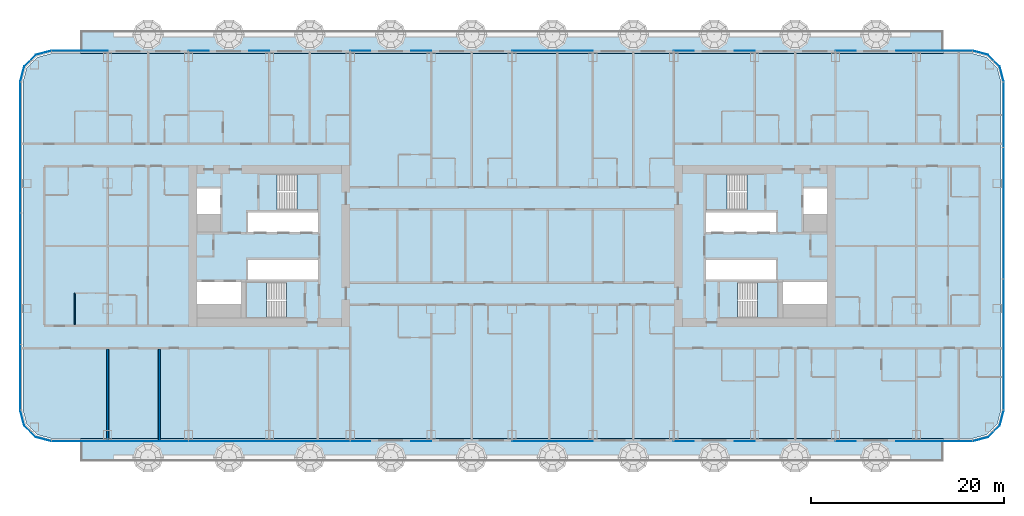
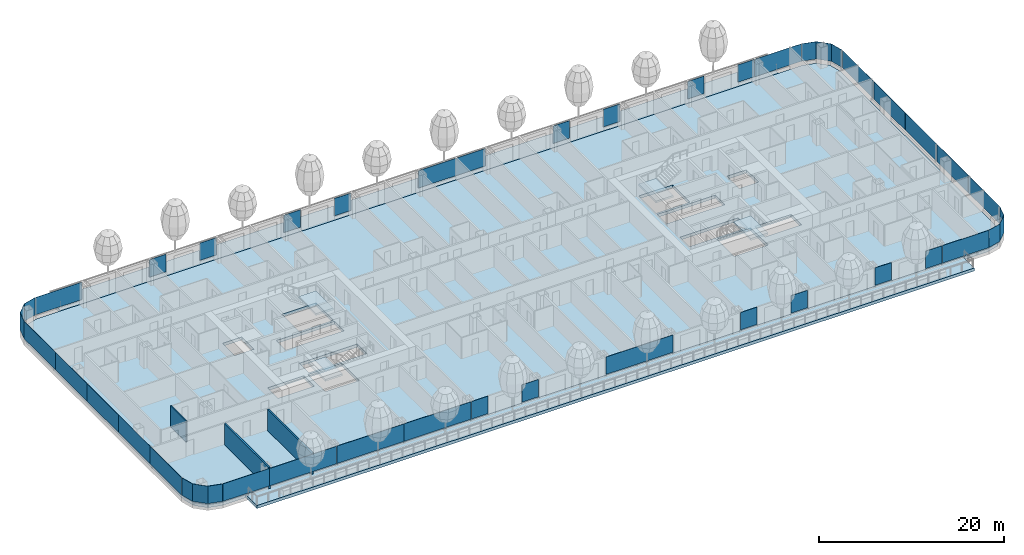
# One storey, part 11 of 36: 37 plates, 7 slabs, 3 walls, 12 elements without a shape of their own.
"""IFC4 building model written with IfcOpenShell, lengths in metres."""

import ifcopenshell
import ifcopenshell.guid

model = None  # the IFC model being written
_history = None  # IfcOwnerHistory: only IFC2X3 demands one
_inside = {}  # id of a spatial element -> (the spatial element, [elements in it])
_under = {}  # id of a project, library or spatial element -> (it, [spatial elements below it])
_declared = {}  # id of a project -> (the project, [libraries it declares])
_typed = {}  # id of a type object -> (the type object, [elements of that type])
_made_of = {}  # id of a material, layer set ... -> (it, [elements and type objects made of it])


def new_model(schema):
    """Start an empty IFC model of exactly this schema.

    Asked for "IFC4X3", IfcOpenShell would pick the latest addendum, in which some entities
    have other attributes; the version numbers below select the first issue.
    IFC2X3 requires an IfcOwnerHistory on every rooted entity: one is made here for all.
    """
    global model, _history
    if schema == "IFC4X3":
        model = ifcopenshell.file(schema_version=(4, 3, 0, 0))
    else:
        model = ifcopenshell.file(schema=schema)
    _inside.clear()
    _under.clear()
    _declared.clear()
    _typed.clear()
    _made_of.clear()
    _history = None
    if model.schema == "IFC2X3":
        org = make("IfcOrganization", Name="unknown")
        user = make(
            "IfcPersonAndOrganization",
            ThePerson=make("IfcPerson", FamilyName="unknown"),
            TheOrganization=org,
        )
        app = make(
            "IfcApplication",
            ApplicationDeveloper=org,
            Version="unknown",
            ApplicationFullName="unknown",
            ApplicationIdentifier="unknown",
        )
        _history = make(
            "IfcOwnerHistory",
            OwningUser=user,
            OwningApplication=app,
            ChangeAction="ADDED",
            CreationDate=0,
        )
    return model


def make(cls, **values):
    """One entity of the class cls with the attributes given. An attribute that is None is left unset."""
    return model.create_entity(
        cls, **{name: value for name, value in values.items() if value is not None}
    )


def rooted(cls, **values):
    """An entity with a GlobalId (a new one), such as an element, a storey or a relation."""
    return make(cls, GlobalId=ifcopenshell.guid.new(), OwnerHistory=_history, **values)


def si_unit(unit_type, name, prefix=None):
    """IfcSIUnit, for example si_unit("LENGTHUNIT", "METRE", prefix="MILLI")."""
    return make("IfcSIUnit", UnitType=unit_type, Prefix=prefix, Name=name)


def assignment(units):
    """IfcUnitAssignment: the units of a project."""
    return None if units is None else make("IfcUnitAssignment", Units=units)


def point(xyz):
    """IfcCartesianPoint."""
    return None if xyz is None else make("IfcCartesianPoint", Coordinates=xyz)


def direction(xyz):
    """IfcDirection."""
    return None if xyz is None else make("IfcDirection", DirectionRatios=xyz)


def frame(location, z_axis=None, x_axis=None):
    """IfcAxis2Placement3D, a coordinate frame: its origin and axes. An axis left out is left unset."""
    return make(
        "IfcAxis2Placement3D",
        Location=point(location),
        Axis=direction(z_axis),
        RefDirection=direction(x_axis),
    )


def frame_2d(location, x_axis=None):
    """IfcAxis2Placement2D, a coordinate frame in the plane: its origin and x axis."""
    return make(
        "IfcAxis2Placement2D", Location=point(location), RefDirection=direction(x_axis)
    )


def origin():
    """The frame at (0, 0, 0) with its axes left unset."""
    return frame((0.0, 0.0, 0.0))


def origin_2d():
    """The frame at (0, 0) in the plane with its x axis left unset."""
    return frame_2d((0.0, 0.0))


def place(relative_to, where):
    """IfcLocalPlacement: puts the frame where relative to a parent placement (None: the world)."""
    return make(
        "IfcLocalPlacement", PlacementRelTo=relative_to, RelativePlacement=where
    )


def context(
    kind, dimensions, precision=None, world=None, true_north=None, identifier=None
):
    """IfcGeometricRepresentationContext, for example the 3D "Model" context."""
    return make(
        "IfcGeometricRepresentationContext",
        ContextIdentifier=identifier,
        ContextType=kind,
        CoordinateSpaceDimension=dimensions,
        Precision=precision,
        WorldCoordinateSystem=world,
        TrueNorth=true_north,
    )


def subcontext(parent, identifier, kind, view, scale=None):
    """IfcGeometricRepresentationSubContext, for example "Body" below "Model"."""
    return make(
        "IfcGeometricRepresentationSubContext",
        ContextIdentifier=identifier,
        ContextType=kind,
        ParentContext=parent,
        TargetScale=scale,
        TargetView=view,
    )


def project(units=None, contexts=None):
    """IfcProject with its units and contexts."""
    return rooted(
        "IfcProject",
        Name="project",
        RepresentationContexts=contexts,
        UnitsInContext=assignment(units),
    )


def spatial(cls, under=None, at=None, **own):
    """A site, building, storey or space (cls), placed at a placement, below another one or the project."""
    s = rooted(cls, ObjectPlacement=at, **own)
    if under is not None:
        _under.setdefault(under.id(), (under, []))[1].append(s)
    return s


def polyline(points):
    """IfcPolyline through the points."""
    return make("IfcPolyline", Points=[point(p) for p in points])


def profile(cls, at=None, kind="AREA", **sizes):
    """A parametric profile (cls). Its sizes go by their IFC names, for example OverallWidth=200.0."""
    return make(cls, ProfileType=kind, Position=at, **sizes)


def rectangle(**sizes):
    """IfcRectangleProfileDef."""
    return profile("IfcRectangleProfileDef", **sizes)


def outline(outer, holes=None, kind="AREA"):
    """IfcArbitraryClosedProfileDef: a profile drawn as a closed curve; with holes, ...WithVoids."""
    if holes is None:
        return make("IfcArbitraryClosedProfileDef", ProfileType=kind, OuterCurve=outer)
    return make(
        "IfcArbitraryProfileDefWithVoids",
        ProfileType=kind,
        OuterCurve=outer,
        InnerCurves=holes,
    )


def extrude(swept, where, along, depth):
    """IfcExtrudedAreaSolid: the profile swept, set in the frame where, extruded along a direction by depth."""
    return make(
        "IfcExtrudedAreaSolid",
        SweptArea=swept,
        Position=where,
        ExtrudedDirection=direction(along),
        Depth=depth,
    )


def shape(context_of_items, identifier, shape_type, items):
    """IfcShapeRepresentation: the items that make up one representation, for example the "Body"."""
    return make(
        "IfcShapeRepresentation",
        ContextOfItems=context_of_items,
        RepresentationIdentifier=identifier,
        RepresentationType=shape_type,
        Items=items,
    )


def material(Name=None, Category=None):
    """IfcMaterial."""
    return make("IfcMaterial", Name=Name, Category=Category)


def layer(
    of_material, thickness, ventilated=None, Name=None, Category=None, Priority=None
):
    """IfcMaterialLayer: one layer of a wall or slab, of a material (None: an air gap)."""
    return make(
        "IfcMaterialLayer",
        Material=of_material,
        LayerThickness=thickness,
        IsVentilated=ventilated,
        Name=Name,
        Category=Category,
        Priority=Priority,
    )


def layer_set(layers, Name=None):
    """IfcMaterialLayerSet."""
    return make("IfcMaterialLayerSet", MaterialLayers=layers, LayerSetName=Name)


def made_of(thing, what):
    """Note that an element or type object is made of a material, layer set ...; save() writes the relation."""
    if what is not None:
        _made_of.setdefault(what.id(), (what, []))[1].append(thing)
    return thing


def type_object(cls, material=None, **own):
    """A type object (cls), such as IfcWallType, which elements share."""
    return made_of(rooted(cls, **own), material)


def element(
    cls,
    number,
    at=None,
    inside=None,
    cuts=None,
    type_object=None,
    material=None,
    context=None,
    identifier="Body",
    shape_type=None,
    held_by="IfcProductDefinitionShape",
    body=None,
    shapes=None,
    **own,
):
    """One element of the class cls, such as IfcWall. Its Tag is "e" and its number.

    at: its placement. inside: the storey or other place that contains it. cuts: it is an
    opening in that element (IfcRelVoidsElement). A single representation is given by context,
    identifier, shape_type and body (its items); several are given by shapes. held_by: the class
    of the entity that holds the representations. save() writes the other relations.
    """
    e = rooted(cls, Tag="e%d" % number, ObjectPlacement=at, **own)
    if body is not None:
        shapes = [shape(context, identifier, shape_type, body)]
    if shapes is not None:
        e.Representation = make(held_by, Representations=shapes)
    if inside is not None:
        _inside.setdefault(inside.id(), (inside, []))[1].append(e)
    if cuts is not None:
        rooted(
            "IfcRelVoidsElement", RelatingBuildingElement=cuts, RelatedOpeningElement=e
        )
    if type_object is not None:
        _typed.setdefault(type_object.id(), (type_object, []))[1].append(e)
    return made_of(e, material)


def aggregate(whole, parts):
    """IfcRelAggregates: a whole, such as a stair, and the parts it consists of."""
    return rooted("IfcRelAggregates", RelatingObject=whole, RelatedObjects=parts)


def save(model, path):
    """Write the relations noted so far, then the file.

    IfcRelAggregates (storeys below a building ...), IfcRelContainedInSpatialStructure (elements
    in a storey), IfcRelDefinesByType, IfcRelAssociatesMaterial and IfcRelDeclares: one each for
    every whole, place, type object, material and project.
    """
    for whole, parts in _under.values():
        aggregate(whole, parts)
    for where, things in _inside.values():
        rooted(
            "IfcRelContainedInSpatialStructure",
            RelatedElements=things,
            RelatingStructure=where,
        )
    for kind, things in _typed.values():
        rooted("IfcRelDefinesByType", RelatedObjects=things, RelatingType=kind)
    for what, things in _made_of.values():
        rooted("IfcRelAssociatesMaterial", RelatedObjects=things, RelatingMaterial=what)
    for by, libraries in _declared.values():
        rooted("IfcRelDeclares", RelatingContext=by, RelatedDefinitions=libraries)
    model.write(path)


model = new_model("IFC4")

# Units and contexts
model_context = context("Model", 3, precision=1e-05, world=origin(), true_north=direction((0.0, 1.0)))
body_context = subcontext(model_context, "Body", "Model", "MODEL_VIEW")
ifc_project = project(units=[si_unit("LENGTHUNIT", "METRE"), si_unit("AREAUNIT", "SQUARE_METRE"), si_unit("VOLUMEUNIT", "CUBIC_METRE"), si_unit("PLANEANGLEUNIT", "RADIAN"), si_unit("MASSUNIT", "GRAM", prefix="KILO")], contexts=[model_context])

# Site, building, storey
site_placement = place(None, origin())
site = spatial("IfcSite", under=ifc_project, at=site_placement, CompositionType="ELEMENT")
building_placement = place(site_placement, origin())
building = spatial("IfcBuilding", under=site, at=building_placement, Name="Hakoniwa Tower and Hamabe Station Hall", CompositionType="ELEMENT")
storey_placement = place(building_placement, frame((0.0, 0.0, 26.199951171875)))
storey = spatial("IfcBuildingStorey", under=building, at=storey_placement, Name="L06", CompositionType="ELEMENT", Elevation=26.199951171875)

# Slabs
ifc_material_1 = material(Name="Concrete C42", Category="concrete")
ifc_layer_1 = layer(ifc_material_1, 0.25)
ifc_layer_set_1 = layer_set([ifc_layer_1], Name="BALCONY SLAB 250")
slab_type_1 = type_object("IfcSlabType", Name="BALCONY SLAB 250", PredefinedType="FLOOR", material=ifc_layer_set_1)
slab_1_placement = place(storey_placement, frame((0.0, 0.0, -0.39990234375)))
element("IfcSlab", 1, at=slab_1_placement, inside=storey, type_object=slab_type_1, Name="Balcony slab L06 BAL-L06-N", PredefinedType="FLOOR", context=body_context, shape_type="SweptSolid", body=[
    extrude(outline(polyline([(-44.800048828125, 20.0), (44.800048828125, 20.0), (44.800048828125, 22.39990234375), (-44.800048828125, 22.39990234375), (-44.800048828125, 20.0)])), origin(), (0.0, 0.0, 1.0), 0.39990234375),
])
slab_2_placement = place(storey_placement, frame((0.0, 0.0, -0.39990234375)))
element("IfcSlab", 2, at=slab_2_placement, inside=storey, type_object=slab_type_1, Name="Balcony slab L06 BAL-L06-S", PredefinedType="FLOOR", context=body_context, shape_type="SweptSolid", body=[
    extrude(outline(polyline([(-44.800048828125, -22.39990234375), (44.800048828125, -22.39990234375), (44.800048828125, -20.0), (-44.800048828125, -20.0), (-44.800048828125, -22.39990234375)])), origin(), (0.0, 0.0, 1.0), 0.39990234375),
])

# Stair, slab
ifc_material_2 = material(Name="Concrete C40", Category="concrete")
stair_type = type_object("IfcStairType", Name="ESCAPE STAIR 1800", PredefinedType="HALF_TURN_STAIR", material=ifc_material_2)
stair_1_placement = place(storey_placement, origin())
stair_1 = element("IfcStair", 3, at=stair_1_placement, inside=storey, type_object=stair_type, Name="Escape stair ST-1 L06", PredefinedType="HALF_TURN_STAIR")
ifc_material_3 = material(Name="Concrete C40", Category="concrete")
ifc_layer_2 = layer(ifc_material_3, 0.25)
ifc_layer_set_2 = layer_set([ifc_layer_2], Name="CORE STAIR LANDING 250")
slab_type_2 = type_object("IfcSlabType", Name="CORE STAIR LANDING 250", PredefinedType="LANDING", material=ifc_layer_set_2)
slab_3_placement = place(storey_placement, frame((0.0, 0.0, 1.35009765625)))
slab_3 = element("IfcSlab", 4, at=slab_3_placement, type_object=slab_type_2, Name="ST-1 landing 1", PredefinedType="LANDING", context=body_context, shape_type="SweptSolid", body=[
    extrude(outline(polyline([(-22.320068359375, 3.75), (-20.14990234375, 3.75), (-20.14990234375, 7.5), (-22.320068359375, 7.5), (-22.320068359375, 3.75)])), origin(), (0.0, 0.0, 1.0), 0.25),
])
aggregate(stair_1, [slab_3])

stair_2_placement = place(storey_placement, origin())
stair_2 = element("IfcStair", 5, at=stair_2_placement, inside=storey, type_object=stair_type, Name="Escape stair ST-2 L06", PredefinedType="HALF_TURN_STAIR")
slab_4_placement = place(storey_placement, frame((0.0, 0.0, 1.35009765625)))
slab_4 = element("IfcSlab", 6, at=slab_4_placement, type_object=slab_type_2, Name="ST-2 landing 1", PredefinedType="LANDING", context=body_context, shape_type="SweptSolid", body=[
    extrude(outline(polyline([(-25.47998046875, -7.5), (-27.64990234375, -7.5), (-27.64990234375, -3.75), (-25.47998046875, -3.75), (-25.47998046875, -7.5)])), origin(), (0.0, 0.0, 1.0), 0.25),
])
aggregate(stair_2, [slab_4])

stair_3_placement = place(storey_placement, origin())
stair_3 = element("IfcStair", 7, at=stair_3_placement, inside=storey, type_object=stair_type, Name="Escape stair ST-3 L06", PredefinedType="HALF_TURN_STAIR")
slab_5_placement = place(storey_placement, frame((0.0, 0.0, 1.35009765625)))
slab_5 = element("IfcSlab", 8, at=slab_5_placement, type_object=slab_type_2, Name="ST-3 landing 1", PredefinedType="LANDING", context=body_context, shape_type="SweptSolid", body=[
    extrude(outline(polyline([(22.320068359375, 3.75), (20.14990234375, 3.75), (20.14990234375, 7.5), (22.320068359375, 7.5), (22.320068359375, 3.75)])), origin(), (0.0, 0.0, 1.0), 0.25),
])
aggregate(stair_3, [slab_5])

stair_4_placement = place(storey_placement, origin())
stair_4 = element("IfcStair", 9, at=stair_4_placement, inside=storey, type_object=stair_type, Name="Escape stair ST-4 L06", PredefinedType="HALF_TURN_STAIR")
slab_6_placement = place(storey_placement, frame((0.0, 0.0, 1.35009765625)))
slab_6 = element("IfcSlab", 10, at=slab_6_placement, type_object=slab_type_2, Name="ST-4 landing 1", PredefinedType="LANDING", context=body_context, shape_type="SweptSolid", body=[
    extrude(outline(polyline([(25.47998046875, -7.5), (27.64990234375, -7.5), (27.64990234375, -3.75), (25.47998046875, -3.75), (25.47998046875, -7.5)])), origin(), (0.0, 0.0, 1.0), 0.25),
])
aggregate(stair_4, [slab_6])

# Curtain wall, plates
ifc_material_4 = material(Name="Dark low-e laminated glass", Category="glass")
ifc_layer_3 = layer(ifc_material_4, 0.199951171875)
ifc_layer_set_3 = layer_set([ifc_layer_3], Name="CW-1 UNITISED GUEST")
curtain_wall_type = type_object("IfcCurtainWallType", Name="CW-1 UNITISED GUEST", PredefinedType="NOTDEFINED", material=ifc_layer_set_3)
curtain_wall_1_placement = place(storey_placement, origin())
curtain_wall_1 = element("IfcCurtainWall", 11, at=curtain_wall_1_placement, inside=storey, type_object=curtain_wall_type, Name="CW-1 curtain wall", PredefinedType="NOTDEFINED")
ifc_material_5 = material(Name="Dark low-e laminated glass", Category="glass")
ifc_layer_4 = layer(ifc_material_5, 0.028076171875)
ifc_layer_set_4 = layer_set([ifc_layer_4], Name="CW-1 GLASS UNIT")
plate_type = type_object("IfcPlateType", Name="CW-1 GLASS UNIT", PredefinedType="CURTAIN_PANEL", material=ifc_layer_set_4)
plate_1_placement = place(storey_placement, frame((51.0859375, -13.631591796875, 0.35009765625), z_axis=(0.0, 0.0, 1.0), x_axis=(0.0, 1.0, 0.0)))
plate_1 = element("IfcPlate", 12, at=plate_1_placement, type_object=plate_type, Name="CW-1 glass unit", PredefinedType="CURTAIN_PANEL", context=body_context, shape_type="SweptSolid", body=[
    extrude(rectangle(XDim=6.7958984375, YDim=0.028076171875, at=origin_2d()), origin(), (0.0, 0.0, 1.0), 2.300048828125),
])
plate_2_placement = place(storey_placement, frame((51.0859375, -6.81591796875, 0.35009765625), z_axis=(0.0, 0.0, 1.0), x_axis=(0.0, 1.0, 0.0)))
plate_2 = element("IfcPlate", 13, at=plate_2_placement, type_object=plate_type, Name="CW-1 glass unit", PredefinedType="CURTAIN_PANEL", context=body_context, shape_type="SweptSolid", body=[
    extrude(rectangle(XDim=6.7958984375, YDim=0.028076171875, at=origin_2d()), origin(), (0.0, 0.0, 1.0), 2.300048828125),
])
plate_3_placement = place(storey_placement, frame((51.0859375, 0.0, 0.35009765625), z_axis=(0.0, 0.0, 1.0), x_axis=(0.0, 1.0, 0.0)))
plate_3 = element("IfcPlate", 14, at=plate_3_placement, type_object=plate_type, Name="CW-1 glass unit", PredefinedType="CURTAIN_PANEL", context=body_context, shape_type="SweptSolid", body=[
    extrude(rectangle(XDim=6.7958984375, YDim=0.028076171875, at=origin_2d()), origin(), (0.0, 0.0, 1.0), 2.300048828125),
])
plate_4_placement = place(storey_placement, frame((51.0859375, 6.81591796875, 0.35009765625), z_axis=(0.0, 0.0, 1.0), x_axis=(0.0, 1.0, 0.0)))
plate_4 = element("IfcPlate", 15, at=plate_4_placement, type_object=plate_type, Name="CW-1 glass unit", PredefinedType="CURTAIN_PANEL", context=body_context, shape_type="SweptSolid", body=[
    extrude(rectangle(XDim=6.7958984375, YDim=0.028076171875, at=origin_2d()), origin(), (0.0, 0.0, 1.0), 2.300048828125),
])
plate_5_placement = place(storey_placement, frame((51.0859375, 13.631591796875, 0.35009765625), z_axis=(0.0, 0.0, 1.0), x_axis=(0.0, 1.0, 0.0)))
plate_5 = element("IfcPlate", 16, at=plate_5_placement, type_object=plate_type, Name="CW-1 glass unit", PredefinedType="CURTAIN_PANEL", context=body_context, shape_type="SweptSolid", body=[
    extrude(rectangle(XDim=6.7958984375, YDim=0.028076171875, at=origin_2d()), origin(), (0.0, 0.0, 1.0), 2.300048828125),
])
aggregate(curtain_wall_1, [plate_1, plate_2, plate_3, plate_4, plate_5])

# Curtain wall, plate
curtain_wall_2_placement = place(storey_placement, origin())
curtain_wall_2 = element("IfcCurtainWall", 17, at=curtain_wall_2_placement, inside=storey, type_object=curtain_wall_type, Name="CW-1 curtain wall", PredefinedType="NOTDEFINED")
plate_6_placement = place(storey_placement, frame((0.0, 0.0, 0.35009765625)))
plate_6 = element("IfcPlate", 18, at=plate_6_placement, type_object=plate_type, Name="CW-1 curved corner unit", PredefinedType="CURTAIN_PANEL", context=body_context, shape_type="SweptSolid", body=[
    extrude(outline(polyline([(51.089599609375, 17.078125), (50.6669921875, 18.6552734375), (49.455322265625, 19.866943359375), (47.878173828125, 20.28955078125), (47.870849609375, 20.2626953125), (49.44091796875, 19.842041015625), (50.641845703125, 18.640869140625), (51.0625, 17.07080078125), (51.089599609375, 17.078125)])), origin(), (0.0, 0.0, 1.0), 2.300048828125),
])
aggregate(curtain_wall_2, [plate_6])

# Curtain wall, plates
curtain_wall_3_placement = place(storey_placement, origin())
curtain_wall_3 = element("IfcCurtainWall", 19, at=curtain_wall_3_placement, inside=storey, type_object=curtain_wall_type, Name="CW-1 curtain wall", PredefinedType="NOTDEFINED")
plate_7_placement = place(storey_placement, frame((44.919677734375, 20.285888671875, 0.35009765625), z_axis=(0.0, 0.0, 1.0), x_axis=(-1.0, 0.0, 0.0)))
plate_7 = element("IfcPlate", 20, at=plate_7_placement, type_object=plate_type, Name="CW-1 glass unit", PredefinedType="CURTAIN_PANEL", context=body_context, shape_type="SweptSolid", body=[
    extrude(rectangle(XDim=5.819580078125, YDim=0.028076171875, at=origin_2d()), origin(), (0.0, 0.0, 1.0), 2.300048828125),
])
plate_8_placement = place(storey_placement, frame((40.949951171875, 20.285888671875, 0.35009765625), z_axis=(0.0, 0.0, 1.0), x_axis=(-1.0, 0.0, 0.0)))
plate_8 = element("IfcPlate", 21, at=plate_8_placement, type_object=plate_type, Name="CW-1 glass unit", PredefinedType="CURTAIN_PANEL", context=body_context, shape_type="SweptSolid", body=[
    extrude(rectangle(XDim=2.080078125, YDim=0.028076171875, at=origin_2d()), origin(), (0.0, 0.0, 1.0), 2.300048828125),
])
plate_9_placement = place(storey_placement, frame((34.64990234375, 20.285888671875, 0.35009765625), z_axis=(0.0, 0.0, 1.0), x_axis=(-1.0, 0.0, 0.0)))
plate_9 = element("IfcPlate", 22, at=plate_9_placement, type_object=plate_type, Name="CW-1 glass unit", PredefinedType="CURTAIN_PANEL", context=body_context, shape_type="SweptSolid", body=[
    extrude(rectangle(XDim=2.080078125, YDim=0.028076171875, at=origin_2d()), origin(), (0.0, 0.0, 1.0), 2.300048828125),
])
plate_10_placement = place(storey_placement, frame((24.14990234375, 20.285888671875, 0.35009765625), z_axis=(0.0, 0.0, 1.0), x_axis=(-1.0, 0.0, 0.0)))
plate_10 = element("IfcPlate", 23, at=plate_10_placement, type_object=plate_type, Name="CW-1 glass unit", PredefinedType="CURTAIN_PANEL", context=body_context, shape_type="SweptSolid", body=[
    extrude(rectangle(XDim=2.080078125, YDim=0.028076171875, at=origin_2d()), origin(), (0.0, 0.0, 1.0), 2.300048828125),
])
plate_11_placement = place(storey_placement, frame((17.85009765625, 20.285888671875, 0.35009765625), z_axis=(0.0, 0.0, 1.0), x_axis=(-1.0, 0.0, 0.0)))
plate_11 = element("IfcPlate", 24, at=plate_11_placement, type_object=plate_type, Name="CW-1 glass unit", PredefinedType="CURTAIN_PANEL", context=body_context, shape_type="SweptSolid", body=[
    extrude(rectangle(XDim=2.080078125, YDim=0.028076171875, at=origin_2d()), origin(), (0.0, 0.0, 1.0), 2.300048828125),
])
plate_12_placement = place(storey_placement, frame((4.199951171875, 20.285888671875, 0.35009765625), z_axis=(0.0, 0.0, 1.0), x_axis=(-1.0, 0.0, 0.0)))
plate_12 = element("IfcPlate", 25, at=plate_12_placement, type_object=plate_type, Name="CW-1 glass unit", PredefinedType="CURTAIN_PANEL", context=body_context, shape_type="SweptSolid", body=[
    extrude(rectangle(XDim=8.3798828125, YDim=0.028076171875, at=origin_2d()), origin(), (0.0, 0.0, 1.0), 2.300048828125),
])
plate_13_placement = place(storey_placement, frame((-9.449951171875, 20.285888671875, 0.35009765625), z_axis=(0.0, 0.0, 1.0), x_axis=(-1.0, 0.0, 0.0)))
plate_13 = element("IfcPlate", 26, at=plate_13_placement, type_object=plate_type, Name="CW-1 glass unit", PredefinedType="CURTAIN_PANEL", context=body_context, shape_type="SweptSolid", body=[
    extrude(rectangle(XDim=2.080078125, YDim=0.028076171875, at=origin_2d()), origin(), (0.0, 0.0, 1.0), 2.300048828125),
])
plate_14_placement = place(storey_placement, frame((-15.75, 20.285888671875, 0.35009765625), z_axis=(0.0, 0.0, 1.0), x_axis=(-1.0, 0.0, 0.0)))
plate_14 = element("IfcPlate", 27, at=plate_14_placement, type_object=plate_type, Name="CW-1 glass unit", PredefinedType="CURTAIN_PANEL", context=body_context, shape_type="SweptSolid", body=[
    extrude(rectangle(XDim=2.080078125, YDim=0.028076171875, at=origin_2d()), origin(), (0.0, 0.0, 1.0), 2.300048828125),
])
plate_15_placement = place(storey_placement, frame((-26.25, 20.285888671875, 0.35009765625), z_axis=(0.0, 0.0, 1.0), x_axis=(-1.0, 0.0, 0.0)))
plate_15 = element("IfcPlate", 28, at=plate_15_placement, type_object=plate_type, Name="CW-1 glass unit", PredefinedType="CURTAIN_PANEL", context=body_context, shape_type="SweptSolid", body=[
    extrude(rectangle(XDim=2.080078125, YDim=0.028076171875, at=origin_2d()), origin(), (0.0, 0.0, 1.0), 2.300048828125),
])
plate_16_placement = place(storey_placement, frame((-32.550048828125, 20.285888671875, 0.35009765625), z_axis=(0.0, 0.0, 1.0), x_axis=(-1.0, 0.0, 0.0)))
plate_16 = element("IfcPlate", 29, at=plate_16_placement, type_object=plate_type, Name="CW-1 glass unit", PredefinedType="CURTAIN_PANEL", context=body_context, shape_type="SweptSolid", body=[
    extrude(rectangle(XDim=2.080078125, YDim=0.028076171875, at=origin_2d()), origin(), (0.0, 0.0, 1.0), 2.300048828125),
])
plate_17_placement = place(storey_placement, frame((-44.919677734375, 20.285888671875, 0.35009765625), z_axis=(0.0, 0.0, 1.0), x_axis=(-1.0, 0.0, 0.0)))
plate_17 = element("IfcPlate", 30, at=plate_17_placement, type_object=plate_type, Name="CW-1 glass unit", PredefinedType="CURTAIN_PANEL", context=body_context, shape_type="SweptSolid", body=[
    extrude(rectangle(XDim=5.819580078125, YDim=0.028076171875, at=origin_2d()), origin(), (0.0, 0.0, 1.0), 2.300048828125),
])
aggregate(curtain_wall_3, [plate_7, plate_8, plate_9, plate_10, plate_11, plate_12, plate_13, plate_14, plate_15, plate_16, plate_17])

# Curtain wall, plate
curtain_wall_4_placement = place(storey_placement, origin())
curtain_wall_4 = element("IfcCurtainWall", 31, at=curtain_wall_4_placement, inside=storey, type_object=curtain_wall_type, Name="CW-1 curtain wall", PredefinedType="NOTDEFINED")
plate_18_placement = place(storey_placement, frame((0.0, 0.0, 0.35009765625)))
plate_18 = element("IfcPlate", 32, at=plate_18_placement, type_object=plate_type, Name="CW-1 curved corner unit", PredefinedType="CURTAIN_PANEL", context=body_context, shape_type="SweptSolid", body=[
    extrude(outline(polyline([(-47.878173828125, 20.28955078125), (-49.455322265625, 19.866943359375), (-50.6669921875, 18.6552734375), (-51.089599609375, 17.078125), (-51.0625, 17.07080078125), (-50.641845703125, 18.640869140625), (-49.44091796875, 19.842041015625), (-47.870849609375, 20.2626953125), (-47.878173828125, 20.28955078125)])), origin(), (0.0, 0.0, 1.0), 2.300048828125),
])
aggregate(curtain_wall_4, [plate_18])

# Curtain wall, plates
curtain_wall_5_placement = place(storey_placement, origin())
curtain_wall_5 = element("IfcCurtainWall", 33, at=curtain_wall_5_placement, inside=storey, type_object=curtain_wall_type, Name="CW-1 curtain wall", PredefinedType="NOTDEFINED")
plate_19_placement = place(storey_placement, frame((-51.0859375, 13.631591796875, 0.35009765625), z_axis=(0.0, 0.0, 1.0), x_axis=(0.0, -1.0, 0.0)))
plate_19 = element("IfcPlate", 34, at=plate_19_placement, type_object=plate_type, Name="CW-1 glass unit", PredefinedType="CURTAIN_PANEL", context=body_context, shape_type="SweptSolid", body=[
    extrude(rectangle(XDim=6.7958984375, YDim=0.028076171875, at=origin_2d()), origin(), (0.0, 0.0, 1.0), 2.300048828125),
])
plate_20_placement = place(storey_placement, frame((-51.0859375, 6.81591796875, 0.35009765625), z_axis=(0.0, 0.0, 1.0), x_axis=(0.0, -1.0, 0.0)))
plate_20 = element("IfcPlate", 35, at=plate_20_placement, type_object=plate_type, Name="CW-1 glass unit", PredefinedType="CURTAIN_PANEL", context=body_context, shape_type="SweptSolid", body=[
    extrude(rectangle(XDim=6.7958984375, YDim=0.028076171875, at=origin_2d()), origin(), (0.0, 0.0, 1.0), 2.300048828125),
])
plate_21_placement = place(storey_placement, frame((-51.0859375, 0.0, 0.35009765625), z_axis=(0.0, 0.0, 1.0), x_axis=(0.0, -1.0, 0.0)))
plate_21 = element("IfcPlate", 36, at=plate_21_placement, type_object=plate_type, Name="CW-1 glass unit", PredefinedType="CURTAIN_PANEL", context=body_context, shape_type="SweptSolid", body=[
    extrude(rectangle(XDim=6.7958984375, YDim=0.028076171875, at=origin_2d()), origin(), (0.0, 0.0, 1.0), 2.300048828125),
])
plate_22_placement = place(storey_placement, frame((-51.0859375, -6.81591796875, 0.35009765625), z_axis=(0.0, 0.0, 1.0), x_axis=(0.0, -1.0, 0.0)))
plate_22 = element("IfcPlate", 37, at=plate_22_placement, type_object=plate_type, Name="CW-1 glass unit", PredefinedType="CURTAIN_PANEL", context=body_context, shape_type="SweptSolid", body=[
    extrude(rectangle(XDim=6.7958984375, YDim=0.028076171875, at=origin_2d()), origin(), (0.0, 0.0, 1.0), 2.300048828125),
])
plate_23_placement = place(storey_placement, frame((-51.0859375, -13.631591796875, 0.35009765625), z_axis=(0.0, 0.0, 1.0), x_axis=(0.0, -1.0, 0.0)))
plate_23 = element("IfcPlate", 38, at=plate_23_placement, type_object=plate_type, Name="CW-1 glass unit", PredefinedType="CURTAIN_PANEL", context=body_context, shape_type="SweptSolid", body=[
    extrude(rectangle(XDim=6.7958984375, YDim=0.028076171875, at=origin_2d()), origin(), (0.0, 0.0, 1.0), 2.300048828125),
])
aggregate(curtain_wall_5, [plate_19, plate_20, plate_21, plate_22, plate_23])

# Curtain wall, plate
curtain_wall_6_placement = place(storey_placement, origin())
curtain_wall_6 = element("IfcCurtainWall", 39, at=curtain_wall_6_placement, inside=storey, type_object=curtain_wall_type, Name="CW-1 curtain wall", PredefinedType="NOTDEFINED")
plate_24_placement = place(storey_placement, frame((0.0, 0.0, 0.35009765625)))
plate_24 = element("IfcPlate", 40, at=plate_24_placement, type_object=plate_type, Name="CW-1 curved corner unit", PredefinedType="CURTAIN_PANEL", context=body_context, shape_type="SweptSolid", body=[
    extrude(outline(polyline([(-51.089599609375, -17.078125), (-50.6669921875, -18.6552734375), (-49.455322265625, -19.866943359375), (-47.878173828125, -20.28955078125), (-47.870849609375, -20.2626953125), (-49.44091796875, -19.842041015625), (-50.641845703125, -18.640869140625), (-51.0625, -17.07080078125), (-51.089599609375, -17.078125)])), origin(), (0.0, 0.0, 1.0), 2.300048828125),
])
aggregate(curtain_wall_6, [plate_24])

# Curtain wall, plates
curtain_wall_7_placement = place(storey_placement, origin())
curtain_wall_7 = element("IfcCurtainWall", 41, at=curtain_wall_7_placement, inside=storey, type_object=curtain_wall_type, Name="CW-1 curtain wall", PredefinedType="NOTDEFINED")
plate_25_placement = place(storey_placement, frame((-44.919677734375, -20.285888671875, 0.35009765625), z_axis=(0.0, 0.0, 1.0), x_axis=(1.0, 0.0, 0.0)))
plate_25 = element("IfcPlate", 42, at=plate_25_placement, type_object=plate_type, Name="CW-1 glass unit", PredefinedType="CURTAIN_PANEL", context=body_context, shape_type="SweptSolid", body=[
    extrude(rectangle(XDim=5.819580078125, YDim=0.028076171875, at=origin_2d()), origin(), (0.0, 0.0, 1.0), 2.300048828125),
])
plate_26_placement = place(storey_placement, frame((-37.800048828125, -20.285888671875, 0.35009765625), z_axis=(0.0, 0.0, 1.0), x_axis=(1.0, 0.0, 0.0)))
plate_26 = element("IfcPlate", 43, at=plate_26_placement, type_object=plate_type, Name="CW-1 glass unit", PredefinedType="CURTAIN_PANEL", context=body_context, shape_type="SweptSolid", body=[
    extrude(rectangle(XDim=8.3798828125, YDim=0.028076171875, at=origin_2d()), origin(), (0.0, 0.0, 1.0), 2.300048828125),
])
plate_27_placement = place(storey_placement, frame((-29.39990234375, -20.285888671875, 0.35009765625), z_axis=(0.0, 0.0, 1.0), x_axis=(1.0, 0.0, 0.0)))
plate_27 = element("IfcPlate", 44, at=plate_27_placement, type_object=plate_type, Name="CW-1 glass unit", PredefinedType="CURTAIN_PANEL", context=body_context, shape_type="SweptSolid", body=[
    extrude(rectangle(XDim=8.3798828125, YDim=0.028076171875, at=origin_2d()), origin(), (0.0, 0.0, 1.0), 2.300048828125),
])
plate_28_placement = place(storey_placement, frame((-21.0, -20.285888671875, 0.35009765625), z_axis=(0.0, 0.0, 1.0), x_axis=(1.0, 0.0, 0.0)))
plate_28 = element("IfcPlate", 45, at=plate_28_placement, type_object=plate_type, Name="CW-1 glass unit", PredefinedType="CURTAIN_PANEL", context=body_context, shape_type="SweptSolid", body=[
    extrude(rectangle(XDim=8.3798828125, YDim=0.028076171875, at=origin_2d()), origin(), (0.0, 0.0, 1.0), 2.300048828125),
])
plate_29_placement = place(storey_placement, frame((-15.75, -20.285888671875, 0.35009765625), z_axis=(0.0, 0.0, 1.0), x_axis=(1.0, 0.0, 0.0)))
plate_29 = element("IfcPlate", 46, at=plate_29_placement, type_object=plate_type, Name="CW-1 glass unit", PredefinedType="CURTAIN_PANEL", context=body_context, shape_type="SweptSolid", body=[
    extrude(rectangle(XDim=2.080078125, YDim=0.028076171875, at=origin_2d()), origin(), (0.0, 0.0, 1.0), 2.300048828125),
])
plate_30_placement = place(storey_placement, frame((-9.449951171875, -20.285888671875, 0.35009765625), z_axis=(0.0, 0.0, 1.0), x_axis=(1.0, 0.0, 0.0)))
plate_30 = element("IfcPlate", 47, at=plate_30_placement, type_object=plate_type, Name="CW-1 glass unit", PredefinedType="CURTAIN_PANEL", context=body_context, shape_type="SweptSolid", body=[
    extrude(rectangle(XDim=2.080078125, YDim=0.028076171875, at=origin_2d()), origin(), (0.0, 0.0, 1.0), 2.300048828125),
])
plate_31_placement = place(storey_placement, frame((4.199951171875, -20.285888671875, 0.35009765625), z_axis=(0.0, 0.0, 1.0), x_axis=(1.0, 0.0, 0.0)))
plate_31 = element("IfcPlate", 48, at=plate_31_placement, type_object=plate_type, Name="CW-1 glass unit", PredefinedType="CURTAIN_PANEL", context=body_context, shape_type="SweptSolid", body=[
    extrude(rectangle(XDim=8.3798828125, YDim=0.028076171875, at=origin_2d()), origin(), (0.0, 0.0, 1.0), 2.300048828125),
])
plate_32_placement = place(storey_placement, frame((17.85009765625, -20.285888671875, 0.35009765625), z_axis=(0.0, 0.0, 1.0), x_axis=(1.0, 0.0, 0.0)))
plate_32 = element("IfcPlate", 49, at=plate_32_placement, type_object=plate_type, Name="CW-1 glass unit", PredefinedType="CURTAIN_PANEL", context=body_context, shape_type="SweptSolid", body=[
    extrude(rectangle(XDim=2.080078125, YDim=0.028076171875, at=origin_2d()), origin(), (0.0, 0.0, 1.0), 2.300048828125),
])
plate_33_placement = place(storey_placement, frame((24.14990234375, -20.285888671875, 0.35009765625), z_axis=(0.0, 0.0, 1.0), x_axis=(1.0, 0.0, 0.0)))
plate_33 = element("IfcPlate", 50, at=plate_33_placement, type_object=plate_type, Name="CW-1 glass unit", PredefinedType="CURTAIN_PANEL", context=body_context, shape_type="SweptSolid", body=[
    extrude(rectangle(XDim=2.080078125, YDim=0.028076171875, at=origin_2d()), origin(), (0.0, 0.0, 1.0), 2.300048828125),
])
plate_34_placement = place(storey_placement, frame((34.64990234375, -20.285888671875, 0.35009765625), z_axis=(0.0, 0.0, 1.0), x_axis=(1.0, 0.0, 0.0)))
plate_34 = element("IfcPlate", 51, at=plate_34_placement, type_object=plate_type, Name="CW-1 glass unit", PredefinedType="CURTAIN_PANEL", context=body_context, shape_type="SweptSolid", body=[
    extrude(rectangle(XDim=2.080078125, YDim=0.028076171875, at=origin_2d()), origin(), (0.0, 0.0, 1.0), 2.300048828125),
])
plate_35_placement = place(storey_placement, frame((40.949951171875, -20.285888671875, 0.35009765625), z_axis=(0.0, 0.0, 1.0), x_axis=(1.0, 0.0, 0.0)))
plate_35 = element("IfcPlate", 52, at=plate_35_placement, type_object=plate_type, Name="CW-1 glass unit", PredefinedType="CURTAIN_PANEL", context=body_context, shape_type="SweptSolid", body=[
    extrude(rectangle(XDim=2.080078125, YDim=0.028076171875, at=origin_2d()), origin(), (0.0, 0.0, 1.0), 2.300048828125),
])
plate_36_placement = place(storey_placement, frame((44.919677734375, -20.285888671875, 0.35009765625), z_axis=(0.0, 0.0, 1.0), x_axis=(1.0, 0.0, 0.0)))
plate_36 = element("IfcPlate", 53, at=plate_36_placement, type_object=plate_type, Name="CW-1 glass unit", PredefinedType="CURTAIN_PANEL", context=body_context, shape_type="SweptSolid", body=[
    extrude(rectangle(XDim=5.819580078125, YDim=0.028076171875, at=origin_2d()), origin(), (0.0, 0.0, 1.0), 2.300048828125),
])
aggregate(curtain_wall_7, [plate_25, plate_26, plate_27, plate_28, plate_29, plate_30, plate_31, plate_32, plate_33, plate_34, plate_35, plate_36])

# Curtain wall, plate
curtain_wall_8_placement = place(storey_placement, origin())
curtain_wall_8 = element("IfcCurtainWall", 54, at=curtain_wall_8_placement, inside=storey, type_object=curtain_wall_type, Name="CW-1 curtain wall", PredefinedType="NOTDEFINED")
plate_37_placement = place(storey_placement, frame((0.0, 0.0, 0.35009765625)))
plate_37 = element("IfcPlate", 55, at=plate_37_placement, type_object=plate_type, Name="CW-1 curved corner unit", PredefinedType="CURTAIN_PANEL", context=body_context, shape_type="SweptSolid", body=[
    extrude(outline(polyline([(47.878173828125, -20.28955078125), (49.455322265625, -19.866943359375), (50.6669921875, -18.6552734375), (51.089599609375, -17.078125), (51.0625, -17.07080078125), (50.641845703125, -18.640869140625), (49.44091796875, -19.842041015625), (47.870849609375, -20.2626953125), (47.878173828125, -20.28955078125)])), origin(), (0.0, 0.0, 1.0), 2.300048828125),
])
aggregate(curtain_wall_8, [plate_37])

# Slab
ifc_material_6 = material(Name="Concrete C42", Category="concrete")
ifc_layer_5 = layer(ifc_material_6, 0.39990234375)
ifc_layer_set_5 = layer_set([ifc_layer_5], Name="PT FLAT PLATE 400")
slab_type_3 = type_object("IfcSlabType", Name="PT FLAT PLATE 400", PredefinedType="FLOOR", material=ifc_layer_set_5)
slab_7_placement = place(storey_placement, frame((0.0, 0.0, -0.39990234375)))
element("IfcSlab", 56, at=slab_7_placement, inside=storey, type_object=slab_type_3, Name="Floor slab L06", PredefinedType="FLOOR", context=body_context, shape_type="SweptSolid", body=[
    extrude(outline(polyline([(50.800048828125, -17.0), (50.800048828125, 17.0), (50.398193359375, 18.5), (49.300048828125, 19.59814453125), (47.800048828125, 20.0), (-47.800048828125, 20.0), (-49.300048828125, 19.59814453125), (-50.398193359375, 18.5), (-50.800048828125, 17.0), (-50.800048828125, -17.0), (-50.398193359375, -18.5), (-49.300048828125, -19.59814453125), (-47.800048828125, -20.0), (47.800048828125, -20.0), (49.300048828125, -19.59814453125), (50.398193359375, -18.5), (50.800048828125, -17.0)]), holes=[polyline([(-27.39990234375, 1.449951171875), (-27.39990234375, 3.5), (-20.14990234375, 3.5), (-20.14990234375, 1.449951171875), (-27.39990234375, 1.449951171875)]), polyline([(-27.39990234375, -3.5), (-27.39990234375, -1.449951171875), (-20.14990234375, -1.449951171875), (-20.14990234375, -3.5), (-27.39990234375, -3.5)]), polyline([(-32.699951171875, 3.300048828125), (-32.699951171875, 5.949951171875), (-30.300048828125, 5.949951171875), (-30.300048828125, 3.300048828125), (-32.699951171875, 3.300048828125)]), polyline([(-32.699951171875, -6.0), (-32.699951171875, -3.75), (-28.14990234375, -3.75), (-28.14990234375, -6.0), (-32.699951171875, -6.0)]), polyline([(-24.389892578125, 3.75), (-24.389892578125, 7.5), (-20.14990234375, 7.5), (-20.14990234375, 3.75), (-24.389892578125, 3.75)]), polyline([(-27.64990234375, -7.5), (-27.64990234375, -3.75), (-23.409912109375, -3.75), (-23.409912109375, -7.5), (-27.64990234375, -7.5)]), polyline([(20.14990234375, 1.449951171875), (20.14990234375, 3.5), (27.39990234375, 3.5), (27.39990234375, 1.449951171875), (20.14990234375, 1.449951171875)]), polyline([(20.14990234375, -3.5), (20.14990234375, -1.449951171875), (27.39990234375, -1.449951171875), (27.39990234375, -3.5), (20.14990234375, -3.5)]), polyline([(30.300048828125, 3.300048828125), (30.300048828125, 5.949951171875), (32.699951171875, 5.949951171875), (32.699951171875, 3.300048828125), (30.300048828125, 3.300048828125)]), polyline([(28.14990234375, -6.0), (28.14990234375, -3.75), (32.699951171875, -3.75), (32.699951171875, -6.0), (28.14990234375, -6.0)]), polyline([(20.14990234375, 3.75), (20.14990234375, 7.5), (24.389892578125, 7.5), (24.389892578125, 3.75), (20.14990234375, 3.75)]), polyline([(23.409912109375, -7.5), (23.409912109375, -3.75), (27.64990234375, -3.75), (27.64990234375, -7.5), (23.409912109375, -7.5)])]), origin(), (0.0, 0.0, 1.0), 0.39990234375),
])

# Walls
ifc_material_7 = material(Name="Gypsum board partition", Category="gypsum")
ifc_layer_6 = layer(ifc_material_7, 0.125)
ifc_layer_set_6 = layer_set([ifc_layer_6], Name="Bathroom Partition 125")
wall_type_1 = type_object("IfcWallType", Name="Bathroom Partition 125", PredefinedType="PARTITIONING", material=ifc_layer_set_6)
wall_placement = place(storey_placement, frame((-45.39990234375, -8.199951171875, 0.0), z_axis=(0.0, 0.0, 1.0), x_axis=(0.0, 1.0, 0.0)))
element("IfcWall", 57, at=wall_placement, inside=storey, type_object=wall_type_1, Name="GW-L06-055", PredefinedType="PARTITIONING", context=body_context, shape_type="SweptSolid", body=[
    extrude(rectangle(XDim=3.300048828125, YDim=0.125, at=frame_2d((1.64990234375, 0.0))), origin(), (0.0, 0.0, 1.0), 2.800048828125),
])
ifc_material_8 = material(Name="Fire-rated gypsum board partition", Category="gypsum")
ifc_layer_7 = layer(ifc_material_8, 0.199951171875)
ifc_layer_set_7 = layer_set([ifc_layer_7], Name="Party Wall 200")
wall_type_2 = type_object("IfcWallType", Name="Party Wall 200", PredefinedType="PARTITIONING", material=ifc_layer_set_7)
for number, where, z_axis, x_axis, name in (
    (58, (-42.0, -20.300048828125, 0.0), (0.0, 0.0, 1.0), (0.0, 1.0, 0.0), "GW-L06-057"),
    (59, (-36.6201171875, -20.300048828125, 0.0), (0.0, 0.0, 1.0), (0.0, 1.0, 0.0), "GW-L06-066"),
):
    element("IfcWall", number, at=place(storey_placement, frame(where, z_axis=z_axis, x_axis=x_axis)), inside=storey, type_object=wall_type_2, Name=name, PredefinedType="PARTITIONING", context=body_context, shape_type="SweptSolid", body=[
        extrude(rectangle(XDim=9.60009765625, YDim=0.199951171875, at=frame_2d((4.800048828125, 0.0))), origin(), (0.0, 0.0, 1.0), 2.800048828125),
    ])

save(model, "model.ifc")
